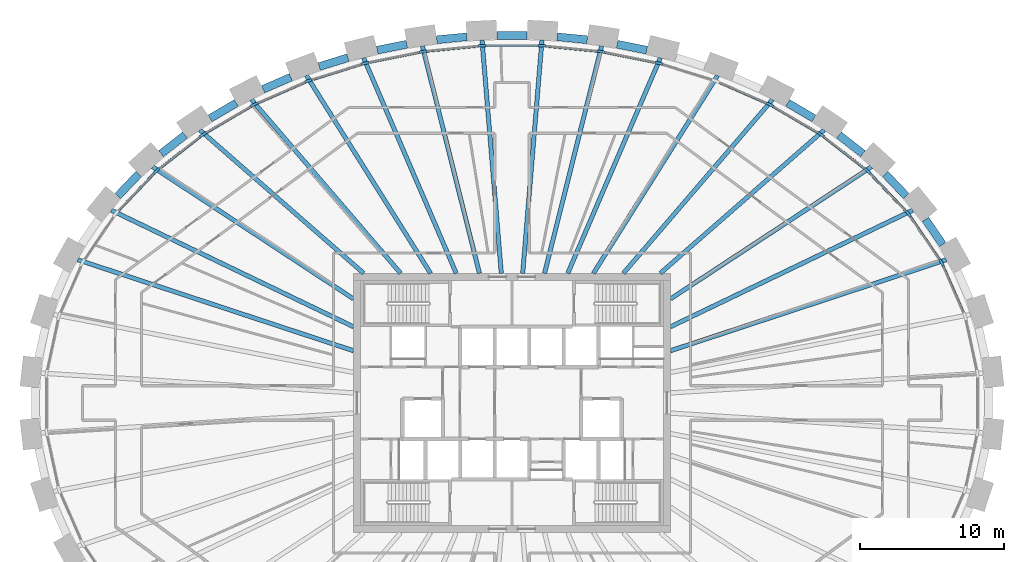
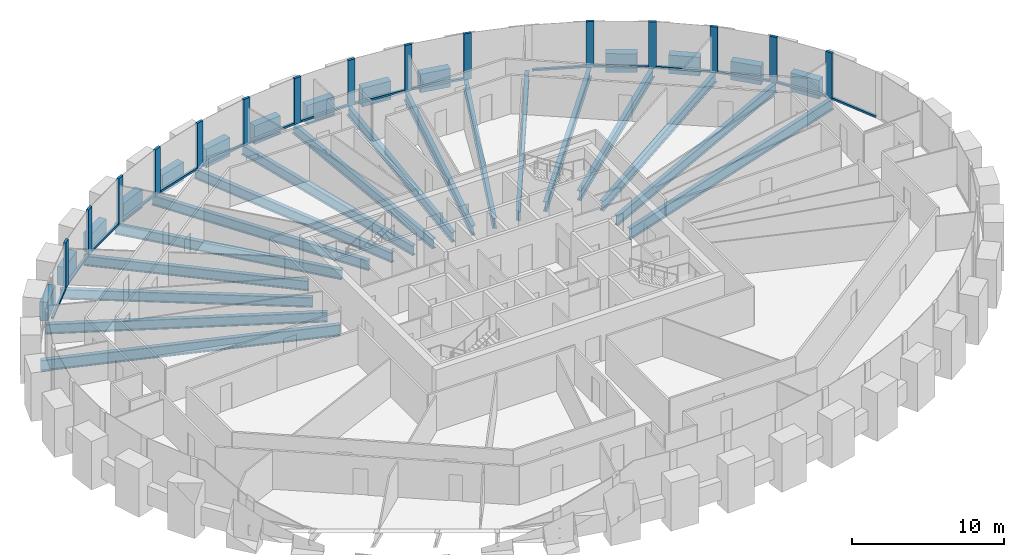
# One storey, part 3 of 12: 32 beams, 31 members, 1 element without a shape of its own.
"""IFC4 building model written with IfcOpenShell, lengths in metres."""

from ifc_helpers import new_model, si_unit, direction, frame, origin, origin_2d, place, context, subcontext, project, spatial, rectangle, i_section, extrude, source, transform, mapped, material, material_profile, profile_set, type_object, element, aggregate, save


model = new_model("IFC4")

# Units and contexts
model_context = context("Model", 3, precision=1e-05, world=origin(), true_north=direction((0.0, 1.0)))
body_context = subcontext(model_context, "Body", "Model", "MODEL_VIEW")
ifc_project = project(units=[si_unit("LENGTHUNIT", "METRE"), si_unit("AREAUNIT", "SQUARE_METRE"), si_unit("VOLUMEUNIT", "CUBIC_METRE"), si_unit("PLANEANGLEUNIT", "RADIAN"), si_unit("MASSUNIT", "GRAM", prefix="KILO")], contexts=[model_context])

# Site, building, storey
site_placement = place(None, origin())
site = spatial("IfcSite", under=ifc_project, at=site_placement, CompositionType="ELEMENT")
building_placement = place(site_placement, origin())
building = spatial("IfcBuilding", under=site, at=building_placement, Name="Embergate Tower", CompositionType="ELEMENT")
storey_placement = place(building_placement, frame((0.0, 0.0, 250.0)))
storey = spatial("IfcBuildingStorey", under=building, at=storey_placement, Name="L57", CompositionType="ELEMENT", Elevation=250.0)

# Beams
ifc_material_1 = material(Name="Concrete C60", Category="concrete")
ifc_material_profile_1 = material_profile(ifc_material_1, rectangle(XDim=0.550048828125, YDim=1.5, at=origin_2d()), Name="RC 550x1500")
ifc_profile_set_1 = profile_set([ifc_material_profile_1], Name="Concrete C60")
beam_type_1 = type_object("IfcBeamType", Name="Spandrel beam RC 550x1500 C60", PredefinedType="BEAM", material=ifc_profile_set_1)
shared_shape_1 = source(origin(), body_context, "Body", "SweptSolid", [
    extrude(rectangle(XDim=0.550048828125, YDim=1.5, at=origin_2d()), origin(), (0.0, 0.0, 1.0), 2.113525390625),
])
beam_1_placement = place(storey_placement, frame((29.885986328125, 10.998046875, 0.0), z_axis=(-0.562088832066, 0.827076867569, 0.0), x_axis=(-0.827076867569, -0.562088832066, 0.0)))
element("IfcBeam", 1, at=beam_1_placement, inside=storey, type_object=beam_type_1, Name="SPN-L57-02", PredefinedType="BEAM", context=body_context, shape_type="MappedRepresentation", body=[
    mapped(shared_shape_1, transform((0.0, 0.0, 0.0))),
])
shared_shape_2 = source(origin(), body_context, "Body", "SweptSolid", [
    extrude(rectangle(XDim=0.550048828125, YDim=1.5, at=origin_2d()), origin(), (0.0, 0.0, 1.0), 2.1064453125),
])
for number, where, z_axis, x_axis, name in (
    (2, (27.362060546875, 14.366943359375, 0.0), (-0.690280012813, 0.723542330421, 0.0), (-0.723542330421, -0.690280012813, 0.0), "SPN-L57-03"),
    (3, (-25.907958984375, 15.89111328125, 0.0), (-0.690280012813, -0.723542330421, 0.0), (0.723542330421, -0.690280012813, 0.0), "SPN-L57-17"),
):
    element("IfcBeam", number, at=place(storey_placement, frame(where, z_axis=z_axis, x_axis=x_axis)), inside=storey, type_object=beam_type_1, Name=name, PredefinedType="BEAM", context=body_context, shape_type="MappedRepresentation", body=[
        mapped(shared_shape_2, transform((0.0, 0.0, 0.0))),
    ])
shared_shape_3 = source(origin(), body_context, "Body", "SweptSolid", [
    extrude(rectangle(XDim=0.550048828125, YDim=1.5, at=origin_2d()), origin(), (0.0, 0.0, 1.0), 2.101806640625),
])
for number, where, z_axis, x_axis, name in (
    (4, (24.35205078125, 17.301025390625, 0.0), (-0.78838173926, 0.615186340227, 0.0), (-0.615186340227, -0.78838173926, 0.0), "SPN-L57-04"),
    (5, (-22.695068359375, 18.593994140625, 0.0), (-0.78838173926, -0.615186340227, 0.0), (0.615186340227, -0.78838173926, 0.0), "SPN-L57-16"),
):
    element("IfcBeam", number, at=place(storey_placement, frame(where, z_axis=z_axis, x_axis=x_axis)), inside=storey, type_object=beam_type_1, Name=name, PredefinedType="BEAM", context=body_context, shape_type="MappedRepresentation", body=[
        mapped(shared_shape_3, transform((0.0, 0.0, 0.0))),
    ])
shared_shape_4 = source(origin(), body_context, "Body", "SweptSolid", [
    extrude(rectangle(XDim=0.550048828125, YDim=1.5, at=origin_2d()), origin(), (0.0, 0.0, 1.0), 2.097412109375),
])
for number, where, z_axis, x_axis, name in (
    (6, (20.947021484375, 19.758056640625, 0.0), (-0.862059864985, 0.506806461267, 0.0), (-0.506806461267, -0.862059864985, 0.0), "SPN-L57-05"),
    (7, (-19.138916015625, 20.821044921875, 0.0), (-0.862059864985, -0.506806461267, 0.0), (0.506806461267, -0.862059864985, 0.0), "SPN-L57-15"),
):
    element("IfcBeam", number, at=place(storey_placement, frame(where, z_axis=z_axis, x_axis=x_axis)), inside=storey, type_object=beam_type_1, Name=name, PredefinedType="BEAM", context=body_context, shape_type="MappedRepresentation", body=[
        mapped(shared_shape_4, transform((0.0, 0.0, 0.0))),
    ])
shared_shape_5 = source(origin(), body_context, "Body", "SweptSolid", [
    extrude(rectangle(XDim=0.550048828125, YDim=1.5, at=origin_2d()), origin(), (0.0, 0.0, 1.0), 2.093994140625),
])
beam_2_placement = place(storey_placement, frame((-15.35009765625, 22.614013671875, 0.0), z_axis=(-0.916403340616, -0.400256064674, 0.0), x_axis=(0.400256064674, -0.916403340616, 0.0)))
element("IfcBeam", 8, at=beam_2_placement, inside=storey, type_object=beam_type_1, Name="SPN-L57-14", PredefinedType="BEAM", context=body_context, shape_type="MappedRepresentation", body=[
    mapped(shared_shape_5, transform((0.0, 0.0, 0.0))),
])
shared_shape_6 = source(origin(), body_context, "Body", "SweptSolid", [
    extrude(rectangle(XDim=0.550048828125, YDim=1.5, at=origin_2d()), origin(), (0.0, 0.0, 1.0), 2.092529296875),
])
beam_3_placement = place(storey_placement, frame((-11.385009765625, 23.969970703125, 0.0), z_axis=(-0.954794982035, -0.297265104378, 0.0), x_axis=(0.297265104378, -0.954794982035, 0.0)))
element("IfcBeam", 9, at=beam_3_placement, inside=storey, type_object=beam_type_1, Name="SPN-L57-13", PredefinedType="BEAM", context=body_context, shape_type="MappedRepresentation", body=[
    mapped(shared_shape_6, transform((0.0, 0.0, 0.0))),
])
shared_shape_7 = source(origin(), body_context, "Body", "SweptSolid", [
    extrude(rectangle(XDim=0.550048828125, YDim=1.5, at=origin_2d()), origin(), (0.0, 0.0, 1.0), 2.0908203125),
])
for number, where, z_axis, x_axis, name in (
    (10, (9.35009765625, 24.489990234375, 0.0), (-0.980499753095, 0.196520314929, 0.0), (-0.196520314929, -0.980499753095, 0.0), "SPN-L57-08"),
    (11, (-7.300048828125, 24.90087890625, 0.0), (-0.980499753095, -0.196520314929, 0.0), (0.196520314929, -0.980499753095, 0.0), "SPN-L57-12"),
):
    element("IfcBeam", number, at=place(storey_placement, frame(where, z_axis=z_axis, x_axis=x_axis)), inside=storey, type_object=beam_type_1, Name=name, PredefinedType="BEAM", context=body_context, shape_type="MappedRepresentation", body=[
        mapped(shared_shape_7, transform((0.0, 0.0, 0.0))),
    ])
shared_shape_8 = source(origin(), body_context, "Body", "SweptSolid", [
    extrude(rectangle(XDim=0.550048828125, YDim=1.5, at=origin_2d()), origin(), (0.0, 0.0, 1.0), 2.08984375),
])
for number, where, z_axis, x_axis, name in (
    (12, (5.222900390625, 25.2109375, 0.0), (-0.995219400888, 0.097664446431, 0.0), (-0.097664446431, -0.995219400888, 0.0), "SPN-L57-09"),
    (13, (1.044921875, 25.51806640625, 0.0), (-1.0, 0.0, 0.0), (0.0, -1.0, 0.0), "SPN-L57-10"),
    (14, (-3.14306640625, 25.4150390625, 0.0), (-0.995219400888, -0.097664446431, 0.0), (0.097664446431, -0.995219400888, 0.0), "SPN-L57-11"),
):
    element("IfcBeam", number, at=place(storey_placement, frame(where, z_axis=z_axis, x_axis=x_axis)), inside=storey, type_object=beam_type_1, Name=name, PredefinedType="BEAM", context=body_context, shape_type="MappedRepresentation", body=[
        mapped(shared_shape_8, transform((0.0, 0.0, 0.0))),
    ])
ifc_material_2 = material(Name="Steel Q355B", Category="steel")
ifc_material_profile_2 = material_profile(ifc_material_2, i_section(OverallWidth=0.300048828125, OverallDepth=0.89990234375, WebThickness=0.01611328125, FlangeThickness=0.028076171875, FilletRadius=0.028076171875, at=origin_2d()), Name="HN 900x300x16x28")
ifc_profile_set_2 = profile_set([ifc_material_profile_2], Name="Steel Q355 grade B")
beam_type_2 = type_object("IfcBeamType", Name="Radial girder HN 900x300x16x28", PredefinedType="BEAM", material=ifc_profile_set_2)
shared_shape_9 = source(origin(), body_context, "Body", "SweptSolid", [
    extrude(i_section(OverallWidth=0.300048828125, OverallDepth=0.89990234375, WebThickness=0.01611328125, FlangeThickness=0.028076171875, FilletRadius=0.028076171875, at=origin_2d()), origin(), (0.0, 0.0, 1.0), 20.164306640625),
])
for number, where, z_axis, x_axis, name in (
    (15, (30.14990234375, 9.943115234375, -0.64990234375), (-0.949691828374, -0.313185936976, 0.0), (0.313185936976, -0.949691828374, 0.0), "GIR-L57-02"),
    (16, (-30.14990234375, 9.943115234375, -0.64990234375), (0.949691828374, -0.313185936976, 0.0), (0.313185936976, 0.949691828374, 0.0), "GIR-L57-19"),
):
    element("IfcBeam", number, at=place(storey_placement, frame(where, z_axis=z_axis, x_axis=x_axis)), inside=storey, type_object=beam_type_2, Name=name, PredefinedType="BEAM", context=body_context, shape_type="MappedRepresentation", body=[
        mapped(shared_shape_9, transform((0.0, 0.0, 0.0))),
    ])
ifc_material_profile_3 = material_profile(ifc_material_2, i_section(OverallWidth=0.300048828125, OverallDepth=0.800048828125, WebThickness=0.013916015625, FlangeThickness=0.02587890625, FilletRadius=0.028076171875, at=origin_2d()), Name="HN 800x300x14x26")
ifc_profile_set_3 = profile_set([ifc_material_profile_3], Name="Steel Q355 grade B")
beam_type_3 = type_object("IfcBeamType", Name="Radial girder HN 800x300x14x26", PredefinedType="BEAM", material=ifc_profile_set_3)
shared_shape_10 = source(origin(), body_context, "Body", "SweptSolid", [
    extrude(i_section(OverallWidth=0.300048828125, OverallDepth=0.800048828125, WebThickness=0.013916015625, FlangeThickness=0.02587890625, FilletRadius=0.028076171875, at=origin_2d()), origin(), (0.0, 0.0, 1.0), 18.6572265625),
])
for number, where, z_axis, x_axis, name in (
    (17, (27.81298828125, 13.3798828125, -0.60009765625), (-0.901153541631, -0.433500051218, 0.0), (0.433500051218, -0.901153541631, 0.0), "GIR-L57-03"),
    (18, (-27.81298828125, 13.3798828125, -0.60009765625), (0.901153541631, -0.433500051218, 0.0), (0.433500051218, 0.901153541631, 0.0), "GIR-L57-18"),
):
    element("IfcBeam", number, at=place(storey_placement, frame(where, z_axis=z_axis, x_axis=x_axis)), inside=storey, type_object=beam_type_3, Name=name, PredefinedType="BEAM", context=body_context, shape_type="MappedRepresentation", body=[
        mapped(shared_shape_10, transform((0.0, 0.0, 0.0))),
    ])
shared_shape_11 = source(origin(), body_context, "Body", "SweptSolid", [
    extrude(i_section(OverallWidth=0.300048828125, OverallDepth=0.800048828125, WebThickness=0.013916015625, FlangeThickness=0.02587890625, FilletRadius=0.028076171875, at=origin_2d()), origin(), (0.0, 0.0, 1.0), 16.683349609375),
])
for number, where, z_axis, x_axis, name in (
    (19, (24.943115234375, 16.387939453125, -0.60009765625), (-0.835753065735, -0.549105466295, 0.0), (0.549105466295, -0.835753065735, 0.0), "GIR-L57-04"),
    (20, (-24.943115234375, 16.387939453125, -0.60009765625), (0.835753065735, -0.549105466295, 0.0), (0.549105466295, 0.835753065735, 0.0), "GIR-L57-17"),
):
    element("IfcBeam", number, at=place(storey_placement, frame(where, z_axis=z_axis, x_axis=x_axis)), inside=storey, type_object=beam_type_3, Name=name, PredefinedType="BEAM", context=body_context, shape_type="MappedRepresentation", body=[
        mapped(shared_shape_11, transform((0.0, 0.0, 0.0))),
    ])
shared_shape_12 = source(origin(), body_context, "Body", "SweptSolid", [
    extrude(i_section(OverallWidth=0.300048828125, OverallDepth=0.800048828125, WebThickness=0.013916015625, FlangeThickness=0.02587890625, FilletRadius=0.028076171875, at=origin_2d()), origin(), (0.0, 0.0, 1.0), 15.11083984375),
])
for number, where, z_axis, x_axis, name in (
    (21, (21.666015625, 18.947021484375, -0.60009765625), (-0.752776832469, -0.658275808836, 0.0), (0.658275808836, -0.752776832469, 0.0), "GIR-L57-05"),
    (22, (-21.666015625, 18.947021484375, -0.60009765625), (0.752776832469, -0.658275808836, 0.0), (0.658275808836, 0.752776832469, 0.0), "GIR-L57-16"),
):
    element("IfcBeam", number, at=place(storey_placement, frame(where, z_axis=z_axis, x_axis=x_axis)), inside=storey, type_object=beam_type_3, Name=name, PredefinedType="BEAM", context=body_context, shape_type="MappedRepresentation", body=[
        mapped(shared_shape_12, transform((0.0, 0.0, 0.0))),
    ])
shared_shape_13 = source(origin(), body_context, "Body", "SweptSolid", [
    extrude(i_section(OverallWidth=0.300048828125, OverallDepth=0.800048828125, WebThickness=0.013916015625, FlangeThickness=0.02587890625, FilletRadius=0.028076171875, at=origin_2d()), origin(), (0.0, 0.0, 1.0), 15.889892578125),
])
for number, where, z_axis, x_axis, name in (
    (23, (18.080078125, 21.054931640625, -0.60009765625), (-0.651489554498, -0.75865760418, 0.0), (0.75865760418, -0.651489554498, 0.0), "GIR-L57-06"),
    (24, (-18.080078125, 21.054931640625, -0.60009765625), (0.651489554498, -0.75865760418, 0.0), (0.75865760418, 0.651489554498, 0.0), "GIR-L57-15"),
):
    element("IfcBeam", number, at=place(storey_placement, frame(where, z_axis=z_axis, x_axis=x_axis)), inside=storey, type_object=beam_type_3, Name=name, PredefinedType="BEAM", context=body_context, shape_type="MappedRepresentation", body=[
        mapped(shared_shape_13, transform((0.0, 0.0, 0.0))),
    ])
shared_shape_14 = source(origin(), body_context, "Body", "SweptSolid", [
    extrude(i_section(OverallWidth=0.300048828125, OverallDepth=0.800048828125, WebThickness=0.013916015625, FlangeThickness=0.02587890625, FilletRadius=0.028076171875, at=origin_2d()), origin(), (0.0, 0.0, 1.0), 16.202880859375),
])
for number, where, z_axis, x_axis, name in (
    (25, (14.27001953125, 22.720947265625, -0.60009765625), (-0.531876197459, -0.84682212452, 0.0), (0.84682212452, -0.531876197459, 0.0), "GIR-L57-07"),
    (26, (-14.27001953125, 22.720947265625, -0.60009765625), (0.531876197459, -0.84682212452, 0.0), (0.84682212452, 0.531876197459, 0.0), "GIR-L57-14"),
):
    element("IfcBeam", number, at=place(storey_placement, frame(where, z_axis=z_axis, x_axis=x_axis)), inside=storey, type_object=beam_type_3, Name=name, PredefinedType="BEAM", context=body_context, shape_type="MappedRepresentation", body=[
        mapped(shared_shape_14, transform((0.0, 0.0, 0.0))),
    ])
shared_shape_15 = source(origin(), body_context, "Body", "SweptSolid", [
    extrude(i_section(OverallWidth=0.300048828125, OverallDepth=0.800048828125, WebThickness=0.013916015625, FlangeThickness=0.02587890625, FilletRadius=0.028076171875, at=origin_2d()), origin(), (0.0, 0.0, 1.0), 16.281494140625),
])
for number, where, z_axis, x_axis, name in (
    (27, (10.299072265625, 23.9580078125, -0.60009765625), (-0.394936126448, -0.918708580577, 0.0), (0.918708580577, -0.394936126448, 0.0), "GIR-L57-08"),
    (28, (-10.299072265625, 23.9580078125, -0.60009765625), (0.394936126448, -0.918708580577, 0.0), (0.918708580577, 0.394936126448, 0.0), "GIR-L57-13"),
):
    element("IfcBeam", number, at=place(storey_placement, frame(where, z_axis=z_axis, x_axis=x_axis)), inside=storey, type_object=beam_type_3, Name=name, PredefinedType="BEAM", context=body_context, shape_type="MappedRepresentation", body=[
        mapped(shared_shape_15, transform((0.0, 0.0, 0.0))),
    ])
shared_shape_16 = source(origin(), body_context, "Body", "SweptSolid", [
    extrude(i_section(OverallWidth=0.300048828125, OverallDepth=0.800048828125, WebThickness=0.013916015625, FlangeThickness=0.02587890625, FilletRadius=0.028076171875, at=origin_2d()), origin(), (0.0, 0.0, 1.0), 16.265625),
])
for number, where, z_axis, x_axis, name in (
    (29, (6.219970703125, 24.77587890625, -0.60009765625), (-0.243517311552, -0.969896550656, 0.0), (0.969896550656, -0.243517311552, 0.0), "GIR-L57-09"),
    (30, (-6.219970703125, 24.77587890625, -0.60009765625), (0.243517311552, -0.969896550656, 0.0), (0.969896550656, 0.243517311552, 0.0), "GIR-L57-12"),
):
    element("IfcBeam", number, at=place(storey_placement, frame(where, z_axis=z_axis, x_axis=x_axis)), inside=storey, type_object=beam_type_3, Name=name, PredefinedType="BEAM", context=body_context, shape_type="MappedRepresentation", body=[
        mapped(shared_shape_16, transform((0.0, 0.0, 0.0))),
    ])
shared_shape_17 = source(origin(), body_context, "Body", "SweptSolid", [
    extrude(i_section(OverallWidth=0.300048828125, OverallDepth=0.800048828125, WebThickness=0.013916015625, FlangeThickness=0.02587890625, FilletRadius=0.028076171875, at=origin_2d()), origin(), (0.0, 0.0, 1.0), 16.23828125),
])
for number, where, z_axis, x_axis, name in (
    (31, (2.080078125, 25.18310546875, -0.60009765625), (-0.082346180741, -0.996603786124, 0.0), (0.996603786124, -0.082346180741, 0.0), "GIR-L57-10"),
    (32, (-2.080078125, 25.18310546875, -0.60009765625), (0.082346180741, -0.996603786124, 0.0), (0.996603786124, 0.082346180741, 0.0), "GIR-L57-11"),
):
    element("IfcBeam", number, at=place(storey_placement, frame(where, z_axis=z_axis, x_axis=x_axis)), inside=storey, type_object=beam_type_3, Name=name, PredefinedType="BEAM", context=body_context, shape_type="MappedRepresentation", body=[
        mapped(shared_shape_17, transform((0.0, 0.0, 0.0))),
    ])

# Curtain wall, members
ifc_material_3 = material(Name="Aluminium and glass", Category="aluminium")
curtain_wall_type = type_object("IfcCurtainWallType", Name="Recessed office glazing", PredefinedType="NOTDEFINED", material=ifc_material_3)
curtain_wall_placement = place(storey_placement, origin())
curtain_wall = element("IfcCurtainWall", 33, at=curtain_wall_placement, inside=storey, type_object=curtain_wall_type, Name="Recessed office glazing ring", ObjectType="RECESSED OFFICE GLAZING", PredefinedType="USERDEFINED")
ifc_material_4 = material(Name="Aluminium, thermally broken", Category="aluminium")
ifc_material_profile_4 = material_profile(ifc_material_4, rectangle(XDim=0.179931640625, YDim=0.52001953125, at=origin_2d()), Name="AL 520x180")
ifc_profile_set_4 = profile_set([ifc_material_profile_4], Name="Aluminium, thermally broken")
member_type_1 = type_object("IfcMemberType", Name="Office mullion", PredefinedType="MULLION", material=ifc_profile_set_4)
shared_shape_18 = source(origin(), body_context, "Body", "SweptSolid", [
    extrude(rectangle(XDim=0.179931640625, YDim=0.52001953125, at=origin_2d()), origin(), (0.0, 0.0, 1.0), 3.699951171875),
])
member_1_placement = place(storey_placement, frame((29.809326171875, 9.753173828125, 0.0), z_axis=(0.0, 0.0, 1.0), x_axis=(-0.874997671059, -0.484127127562, 0.0)))
member_1 = element("IfcMember", 34, at=member_1_placement, type_object=member_type_1, Name="CW mullion 3", PredefinedType="MULLION", context=body_context, shape_type="MappedRepresentation", body=[
    mapped(shared_shape_18, transform((0.0, 0.0, 0.0))),
])
member_2_placement = place(storey_placement, frame((27.51025390625, 13.134033203125, 0.0), z_axis=(0.0, 0.0, 1.0), x_axis=(-0.777868177123, -0.628427481114, 0.0)))
member_2 = element("IfcMember", 35, at=member_2_placement, type_object=member_type_1, Name="CW mullion 4", PredefinedType="MULLION", context=body_context, shape_type="MappedRepresentation", body=[
    mapped(shared_shape_18, transform((0.0, 0.0, 0.0))),
])
member_3_placement = place(storey_placement, frame((24.682861328125, 16.098876953125, 0.0), z_axis=(0.0, 0.0, 1.0), x_axis=(-0.671223946494, -0.741254621337, 0.0)))
member_3 = element("IfcMember", 36, at=member_3_placement, type_object=member_type_1, Name="CW mullion 5", PredefinedType="MULLION", context=body_context, shape_type="MappedRepresentation", body=[
    mapped(shared_shape_18, transform((0.0, 0.0, 0.0))),
])
member_4_placement = place(storey_placement, frame((21.447265625, 18.624267578125, 0.0), z_axis=(0.0, 0.0, 1.0), x_axis=(-0.562214731803, -0.826991290972, 0.0)))
member_4 = element("IfcMember", 37, at=member_4_placement, type_object=member_type_1, Name="CW mullion 6", PredefinedType="MULLION", context=body_context, shape_type="MappedRepresentation", body=[
    mapped(shared_shape_18, transform((0.0, 0.0, 0.0))),
])
member_5_placement = place(storey_placement, frame((17.904052734375, 20.707275390625, 0.0), z_axis=(0.0, 0.0, 1.0), x_axis=(-0.454509825889, -0.890741723605, 0.0)))
member_5 = element("IfcMember", 38, at=member_5_placement, type_object=member_type_1, Name="CW mullion 7", PredefinedType="MULLION", context=body_context, shape_type="MappedRepresentation", body=[
    mapped(shared_shape_18, transform((0.0, 0.0, 0.0))),
])
member_6_placement = place(storey_placement, frame((10.2021484375, 23.580322265625, 0.0), z_axis=(0.0, 0.0, 1.0), x_axis=(-0.24731188137, -0.968935928394, 0.0)))
member_6 = element("IfcMember", 39, at=member_6_placement, type_object=member_type_1, Name="CW mullion 9", PredefinedType="MULLION", context=body_context, shape_type="MappedRepresentation", body=[
    mapped(shared_shape_18, transform((0.0, 0.0, 0.0))),
])
member_7_placement = place(storey_placement, frame((6.16259765625, 24.390380859375, 0.0), z_axis=(0.0, 0.0, 1.0), x_axis=(-0.147412382818, -0.989075118174, 0.0)))
member_7 = element("IfcMember", 40, at=member_7_placement, type_object=member_type_1, Name="CW mullion 10", PredefinedType="MULLION", context=body_context, shape_type="MappedRepresentation", body=[
    mapped(shared_shape_18, transform((0.0, 0.0, 0.0))),
])
member_8_placement = place(storey_placement, frame((2.060791015625, 24.793701171875, 0.0), z_axis=(0.0, 0.0, 1.0), x_axis=(-0.048971796621, -0.998800161762, 0.0)))
member_8 = element("IfcMember", 41, at=member_8_placement, type_object=member_type_1, Name="CW mullion 11", PredefinedType="MULLION", context=body_context, shape_type="MappedRepresentation", body=[
    mapped(shared_shape_18, transform((0.0, 0.0, 0.0))),
])
member_9_placement = place(storey_placement, frame((-2.060791015625, 24.793701171875, 0.0), z_axis=(0.0, 0.0, 1.0), x_axis=(0.048971796621, -0.998800161762, 0.0)))
member_9 = element("IfcMember", 42, at=member_9_placement, type_object=member_type_1, Name="CW mullion 12", PredefinedType="MULLION", context=body_context, shape_type="MappedRepresentation", body=[
    mapped(shared_shape_18, transform((0.0, 0.0, 0.0))),
])
member_10_placement = place(storey_placement, frame((-6.16259765625, 24.390380859375, 0.0), z_axis=(0.0, 0.0, 1.0), x_axis=(0.147412382818, -0.989075118174, 0.0)))
member_10 = element("IfcMember", 43, at=member_10_placement, type_object=member_type_1, Name="CW mullion 13", PredefinedType="MULLION", context=body_context, shape_type="MappedRepresentation", body=[
    mapped(shared_shape_18, transform((0.0, 0.0, 0.0))),
])
member_11_placement = place(storey_placement, frame((-10.2021484375, 23.580322265625, 0.0), z_axis=(0.0, 0.0, 1.0), x_axis=(0.24731188137, -0.968935928394, 0.0)))
member_11 = element("IfcMember", 44, at=member_11_placement, type_object=member_type_1, Name="CW mullion 14", PredefinedType="MULLION", context=body_context, shape_type="MappedRepresentation", body=[
    mapped(shared_shape_18, transform((0.0, 0.0, 0.0))),
])
member_12_placement = place(storey_placement, frame((-14.1337890625, 22.35595703125, 0.0), z_axis=(0.0, 0.0, 1.0), x_axis=(0.349502682851, -0.936935363128, 0.0)))
member_12 = element("IfcMember", 45, at=member_12_placement, type_object=member_type_1, Name="CW mullion 15", PredefinedType="MULLION", context=body_context, shape_type="MappedRepresentation", body=[
    mapped(shared_shape_18, transform((0.0, 0.0, 0.0))),
])
member_13_placement = place(storey_placement, frame((-17.904052734375, 20.707275390625, 0.0), z_axis=(0.0, 0.0, 1.0), x_axis=(0.454509825889, -0.890741723605, 0.0)))
member_13 = element("IfcMember", 46, at=member_13_placement, type_object=member_type_1, Name="CW mullion 16", PredefinedType="MULLION", context=body_context, shape_type="MappedRepresentation", body=[
    mapped(shared_shape_18, transform((0.0, 0.0, 0.0))),
])
member_14_placement = place(storey_placement, frame((-21.447265625, 18.624267578125, 0.0), z_axis=(0.0, 0.0, 1.0), x_axis=(0.562214731803, -0.826991290972, 0.0)))
member_14 = element("IfcMember", 47, at=member_14_placement, type_object=member_type_1, Name="CW mullion 17", PredefinedType="MULLION", context=body_context, shape_type="MappedRepresentation", body=[
    mapped(shared_shape_18, transform((0.0, 0.0, 0.0))),
])
member_15_placement = place(storey_placement, frame((-24.682861328125, 16.098876953125, 0.0), z_axis=(0.0, 0.0, 1.0), x_axis=(0.671223946494, -0.741254621337, 0.0)))
member_15 = element("IfcMember", 48, at=member_15_placement, type_object=member_type_1, Name="CW mullion 18", PredefinedType="MULLION", context=body_context, shape_type="MappedRepresentation", body=[
    mapped(shared_shape_18, transform((0.0, 0.0, 0.0))),
])
ifc_material_profile_5 = material_profile(ifc_material_4, rectangle(XDim=0.179931640625, YDim=0.14990234375, at=origin_2d()), Name="AL 150x180")
ifc_profile_set_5 = profile_set([ifc_material_profile_5], Name="Aluminium, thermally broken")
member_type_2 = type_object("IfcMemberType", Name="Office sill transom", PredefinedType="USERDEFINED", material=ifc_profile_set_5)
shared_shape_19 = source(origin(), body_context, "Body", "SweptSolid", [
    extrude(rectangle(XDim=0.179931640625, YDim=0.14990234375, at=origin_2d()), origin(), (0.0, 0.0, 1.0), 3.559814453125),
])
member_16_placement = place(storey_placement, frame((31.343505859375, 6.255126953125, 0.074951171875), z_axis=(-0.401628194201, 0.915802813723, 0.0), x_axis=(-0.915802813723, -0.401628194201, 0.0)))
member_16 = element("IfcMember", 49, at=member_16_placement, type_object=member_type_2, Name="CW transom 2.1", ObjectType="TRANSOM", PredefinedType="USERDEFINED", context=body_context, shape_type="MappedRepresentation", body=[
    mapped(shared_shape_19, transform((0.0, 0.0, 0.0))),
])
shared_shape_20 = source(origin(), body_context, "Body", "SweptSolid", [
    extrude(rectangle(XDim=0.179931640625, YDim=0.14990234375, at=origin_2d()), origin(), (0.0, 0.0, 1.0), 3.568359375),
])
member_17_placement = place(storey_placement, frame((29.6630859375, 9.96826171875, 0.074951171875), z_axis=(-0.562334349522, 0.826909958428, 0.0), x_axis=(-0.826909958428, -0.562334349522, 0.0)))
member_17 = element("IfcMember", 50, at=member_17_placement, type_object=member_type_2, Name="CW transom 3.1", ObjectType="TRANSOM", PredefinedType="USERDEFINED", context=body_context, shape_type="MappedRepresentation", body=[
    mapped(shared_shape_20, transform((0.0, 0.0, 0.0))),
])
shared_shape_21 = source(origin(), body_context, "Body", "SweptSolid", [
    extrude(rectangle(XDim=0.179931640625, YDim=0.14990234375, at=origin_2d()), origin(), (0.0, 0.0, 1.0), 3.576904296875),
])
member_18_placement = place(storey_placement, frame((27.330810546875, 13.322265625, 0.074951171875), z_axis=(-0.69011690361, 0.72369790614, 0.0), x_axis=(-0.72369790614, -0.69011690361, 0.0)))
member_18 = element("IfcMember", 51, at=member_18_placement, type_object=member_type_2, Name="CW transom 4.1", ObjectType="TRANSOM", PredefinedType="USERDEFINED", context=body_context, shape_type="MappedRepresentation", body=[
    mapped(shared_shape_21, transform((0.0, 0.0, 0.0))),
])
member_19_placement = place(storey_placement, frame((-24.8623046875, 15.910888671875, 0.074951171875), z_axis=(-0.69011690361, -0.72369790614, 0.0), x_axis=(0.72369790614, -0.69011690361, 0.0)))
member_19 = element("IfcMember", 52, at=member_19_placement, type_object=member_type_2, Name="CW transom 18.1", ObjectType="TRANSOM", PredefinedType="USERDEFINED", context=body_context, shape_type="MappedRepresentation", body=[
    mapped(shared_shape_21, transform((0.0, 0.0, 0.0))),
])
shared_shape_22 = source(origin(), body_context, "Body", "SweptSolid", [
    extrude(rectangle(XDim=0.179931640625, YDim=0.14990234375, at=origin_2d()), origin(), (0.0, 0.0, 1.0), 3.58447265625),
])
member_20_placement = place(storey_placement, frame((24.477783203125, 16.2587890625, 0.074951171875), z_axis=(-0.788327869744, 0.61525536957, 0.0), x_axis=(-0.61525536957, -0.788327869744, 0.0)))
member_20 = element("IfcMember", 53, at=member_20_placement, type_object=member_type_2, Name="CW transom 5.1", ObjectType="TRANSOM", PredefinedType="USERDEFINED", context=body_context, shape_type="MappedRepresentation", body=[
    mapped(shared_shape_22, transform((0.0, 0.0, 0.0))),
])
member_21_placement = place(storey_placement, frame((-21.652099609375, 18.464111328125, 0.074951171875), z_axis=(-0.788327869744, -0.61525536957, 0.0), x_axis=(0.61525536957, -0.788327869744, 0.0)))
member_21 = element("IfcMember", 54, at=member_21_placement, type_object=member_type_2, Name="CW transom 17.1", ObjectType="TRANSOM", PredefinedType="USERDEFINED", context=body_context, shape_type="MappedRepresentation", body=[
    mapped(shared_shape_22, transform((0.0, 0.0, 0.0))),
])
shared_shape_23 = source(origin(), body_context, "Body", "SweptSolid", [
    extrude(rectangle(XDim=0.179931640625, YDim=0.14990234375, at=origin_2d()), origin(), (0.0, 0.0, 1.0), 3.59033203125),
])
member_22_placement = place(storey_placement, frame((21.22314453125, 18.756103515625, 0.074951171875), z_axis=(-0.862054810365, 0.506815058898, 0.0), x_axis=(-0.506815058898, -0.862054810365, 0.0)))
member_22 = element("IfcMember", 55, at=member_22_placement, type_object=member_type_2, Name="CW transom 6.1", ObjectType="TRANSOM", PredefinedType="USERDEFINED", context=body_context, shape_type="MappedRepresentation", body=[
    mapped(shared_shape_23, transform((0.0, 0.0, 0.0))),
])
member_23_placement = place(storey_placement, frame((-18.128173828125, 20.57568359375, 0.074951171875), z_axis=(-0.862054810365, -0.506815058898, 0.0), x_axis=(0.506815058898, -0.862054810365, 0.0)))
member_23 = element("IfcMember", 56, at=member_23_placement, type_object=member_type_2, Name="CW transom 16.1", ObjectType="TRANSOM", PredefinedType="USERDEFINED", context=body_context, shape_type="MappedRepresentation", body=[
    mapped(shared_shape_23, transform((0.0, 0.0, 0.0))),
])
shared_shape_24 = source(origin(), body_context, "Body", "SweptSolid", [
    extrude(rectangle(XDim=0.179931640625, YDim=0.14990234375, at=origin_2d()), origin(), (0.0, 0.0, 1.0), 3.594482421875),
])
member_24_placement = place(storey_placement, frame((17.665771484375, 20.8115234375, 0.074951171875), z_axis=(-0.916229025025, 0.400654930958, 0.0), x_axis=(-0.400654930958, -0.916229025025, 0.0)))
member_24 = element("IfcMember", 57, at=member_24_placement, type_object=member_type_2, Name="CW transom 7.1", ObjectType="TRANSOM", PredefinedType="USERDEFINED", context=body_context, shape_type="MappedRepresentation", body=[
    mapped(shared_shape_24, transform((0.0, 0.0, 0.0))),
])
member_25_placement = place(storey_placement, frame((-14.372314453125, 22.251708984375, 0.074951171875), z_axis=(-0.916229025025, -0.400654930958, 0.0), x_axis=(0.400654930958, -0.916229025025, 0.0)))
member_25 = element("IfcMember", 58, at=member_25_placement, type_object=member_type_2, Name="CW transom 15.1", ObjectType="TRANSOM", PredefinedType="USERDEFINED", context=body_context, shape_type="MappedRepresentation", body=[
    mapped(shared_shape_24, transform((0.0, 0.0, 0.0))),
])
shared_shape_25 = source(origin(), body_context, "Body", "SweptSolid", [
    extrude(rectangle(XDim=0.179931640625, YDim=0.14990234375, at=origin_2d()), origin(), (0.0, 0.0, 1.0), 3.59814453125),
])
member_26_placement = place(storey_placement, frame((-10.450439453125, 23.5029296875, 0.074951171875), z_axis=(-0.954772906147, -0.297336001332, 0.0), x_axis=(0.297336001332, -0.954772906147, 0.0)))
member_26 = element("IfcMember", 59, at=member_26_placement, type_object=member_type_2, Name="CW transom 14.1", ObjectType="TRANSOM", PredefinedType="USERDEFINED", context=body_context, shape_type="MappedRepresentation", body=[
    mapped(shared_shape_25, transform((0.0, 0.0, 0.0))),
])
shared_shape_26 = source(origin(), body_context, "Body", "SweptSolid", [
    extrude(rectangle(XDim=0.179931640625, YDim=0.14990234375, at=origin_2d()), origin(), (0.0, 0.0, 1.0), 3.60009765625),
])
member_27_placement = place(storey_placement, frame((9.947265625, 23.63134765625, 0.074951171875), z_axis=(-0.980470975214, 0.196663842033, 0.0), x_axis=(-0.196663842033, -0.980470975214, 0.0)))
member_27 = element("IfcMember", 60, at=member_27_placement, type_object=member_type_2, Name="CW transom 9.1", ObjectType="TRANSOM", PredefinedType="USERDEFINED", context=body_context, shape_type="MappedRepresentation", body=[
    mapped(shared_shape_26, transform((0.0, 0.0, 0.0))),
])
member_28_placement = place(storey_placement, frame((-6.41748046875, 24.33935546875, 0.074951171875), z_axis=(-0.980470975214, -0.196663842033, 0.0), x_axis=(0.196663842033, -0.980470975214, 0.0)))
member_28 = element("IfcMember", 61, at=member_28_placement, type_object=member_type_2, Name="CW transom 13.1", ObjectType="TRANSOM", PredefinedType="USERDEFINED", context=body_context, shape_type="MappedRepresentation", body=[
    mapped(shared_shape_26, transform((0.0, 0.0, 0.0))),
])
shared_shape_27 = source(origin(), body_context, "Body", "SweptSolid", [
    extrude(rectangle(XDim=0.179931640625, YDim=0.14990234375, at=origin_2d()), origin(), (0.0, 0.0, 1.0), 3.6015625),
])
member_29_placement = place(storey_placement, frame((5.90380859375, 24.416015625, 0.074951171875), z_axis=(-0.995204228817, 0.097818929377, 0.0), x_axis=(-0.097818929377, -0.995204228817, 0.0)))
member_29 = element("IfcMember", 62, at=member_29_placement, type_object=member_type_2, Name="CW transom 10.1", ObjectType="TRANSOM", PredefinedType="USERDEFINED", context=body_context, shape_type="MappedRepresentation", body=[
    mapped(shared_shape_27, transform((0.0, 0.0, 0.0))),
])
member_30_placement = place(storey_placement, frame((1.80078125, 24.793701171875, 0.074951171875), z_axis=(-1.0, 0.0, 0.0), x_axis=(0.0, -1.0, 0.0)))
member_30 = element("IfcMember", 63, at=member_30_placement, type_object=member_type_2, Name="CW transom 11.1", ObjectType="TRANSOM", PredefinedType="USERDEFINED", context=body_context, shape_type="MappedRepresentation", body=[
    mapped(shared_shape_27, transform((0.0, 0.0, 0.0))),
])
member_31_placement = place(storey_placement, frame((-2.319580078125, 24.768310546875, 0.074951171875), z_axis=(-0.995204228817, -0.097818929377, 0.0), x_axis=(0.097818929377, -0.995204228817, 0.0)))
member_31 = element("IfcMember", 64, at=member_31_placement, type_object=member_type_2, Name="CW transom 12.1", ObjectType="TRANSOM", PredefinedType="USERDEFINED", context=body_context, shape_type="MappedRepresentation", body=[
    mapped(shared_shape_27, transform((0.0, 0.0, 0.0))),
])
aggregate(curtain_wall, [member_1, member_2, member_3, member_4, member_5, member_6, member_7, member_8, member_9, member_10, member_11, member_12, member_13, member_14, member_15, member_16, member_17, member_18, member_20, member_22, member_24, member_27, member_29, member_30, member_31, member_28, member_26, member_25, member_23, member_21, member_19])

save(model, "model.ifc")
